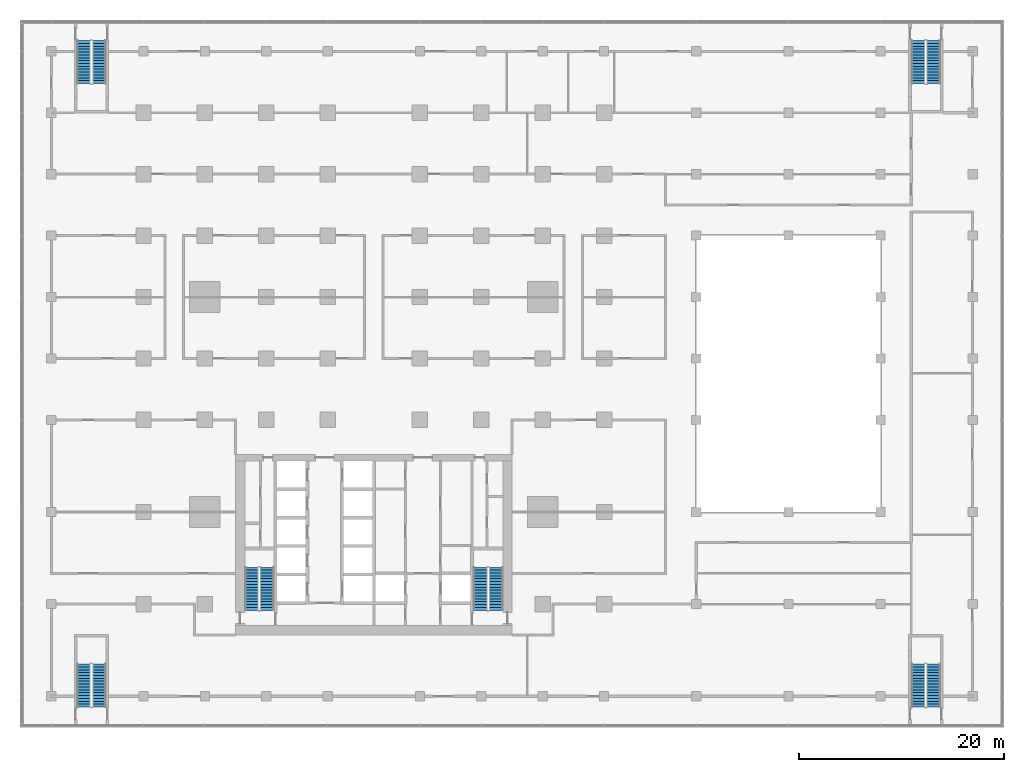
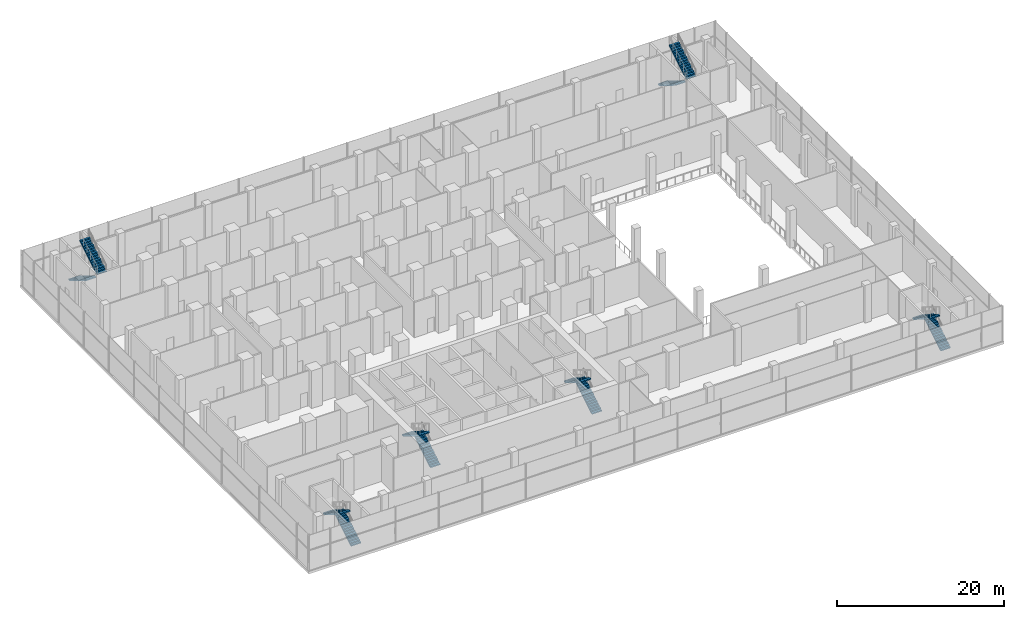
# One storey, part 20 of 22: 12 stair flights, 6 elements without a shape of their own.
"""IFC4 building model written with IfcOpenShell, lengths in metres."""

from ifc_helpers import new_model, si_unit, direction, frame, origin, place, context, subcontext, project, spatial, polyline, outline, extrude, material, type_object, element, aggregate, save


model = new_model("IFC4")

# Units and contexts
model_context = context("Model", 3, precision=1e-05, world=origin(), true_north=direction((0.0, 1.0)))
body_context = subcontext(model_context, "Body", "Model", "MODEL_VIEW")
ifc_project = project(units=[si_unit("LENGTHUNIT", "METRE"), si_unit("AREAUNIT", "SQUARE_METRE"), si_unit("VOLUMEUNIT", "CUBIC_METRE"), si_unit("PLANEANGLEUNIT", "RADIAN"), si_unit("MASSUNIT", "GRAM", prefix="KILO")], contexts=[model_context])

# Site, building, storey
site_placement = place(None, origin())
site = spatial("IfcSite", under=ifc_project, at=site_placement, CompositionType="ELEMENT")
building_placement = place(site_placement, origin())
building = spatial("IfcBuilding", under=site, at=building_placement, Name="Finial Court Residences", CompositionType="ELEMENT")
storey_placement = place(building_placement, frame((0.0, 0.0, 8.0)))
storey = spatial("IfcBuildingStorey", under=building, at=storey_placement, Name="L01", CompositionType="ELEMENT", Elevation=8.0)

# Stair, stair flights
ifc_material = material(Name="Concrete C50/60", Category="concrete")
stair_type = type_object("IfcStairType", Name="Exit stair 32 risers of 171.9 mm", PredefinedType="HALF_TURN_STAIR", material=ifc_material)
stair_1_placement = place(storey_placement, origin())
stair_1 = element("IfcStair", 1, at=stair_1_placement, inside=storey, type_object=stair_type, Name="L01 Exit stair ST-1", PredefinedType="HALF_TURN_STAIR")
stair_flight_type = type_object("IfcStairFlightType", Name="Exit stair flight", PredefinedType="STRAIGHT", material=ifc_material)
stair_flight_1_placement = place(storey_placement, frame((-10.425048828125, -23.10009765625, 0.0), z_axis=(0.0, 0.0, 1.0), x_axis=(0.0, 1.0, 0.0)))
stair_flight_1 = element("IfcStairFlight", 2, at=stair_flight_1_placement, type_object=stair_flight_type, Name="ST-1 flight 1", NumberOfRisers=16, NumberOfTreads=15, PredefinedType="STRAIGHT", RiserHeight=0.171875, TreadLength=0.28, context=body_context, shape_type="SweptSolid", body=[
    extrude(outline(polyline([(0.0, 0.0), (0.0, 0.171875), (0.280029296875, 0.171875), (0.280029296875, 0.34375), (0.56005859375, 0.34375), (0.56005859375, 0.515625), (0.840087890625, 0.515625), (0.840087890625, 0.6875), (1.1201171875, 0.6875), (1.1201171875, 0.859375), (1.39990234375, 0.859375), (1.39990234375, 1.03125), (1.679931640625, 1.03125), (1.679931640625, 1.203125), (1.9599609375, 1.203125), (1.9599609375, 1.375), (2.239990234375, 1.375), (2.239990234375, 1.546875), (2.52001953125, 1.546875), (2.52001953125, 1.71875), (2.800048828125, 1.71875), (2.800048828125, 1.890625), (3.080078125, 1.890625), (3.080078125, 2.0625), (3.360107421875, 2.0625), (3.360107421875, 2.234375), (3.639892578125, 2.234375), (3.639892578125, 2.40625), (3.919921875, 2.40625), (3.919921875, 2.578125), (4.199951171875, 2.578125), (4.199951171875, 2.75), (4.199951171875, 2.40234375), (0.28662109375, 0.0), (0.0, 0.0)])), frame((0.0, 0.675048828125, 0.0), z_axis=(0.0, -1.0, 0.0), x_axis=(1.0, 0.0, 0.0)), (0.0, 0.0, 1.0), 1.35009765625),
])
stair_flight_2_placement = place(storey_placement, frame((-11.925048828125, -18.89990234375, 2.75), z_axis=(0.0, 0.0, 1.0), x_axis=(0.0, -1.0, 0.0)))
stair_flight_2 = element("IfcStairFlight", 3, at=stair_flight_2_placement, type_object=stair_flight_type, Name="ST-1 flight 2", NumberOfRisers=16, NumberOfTreads=15, PredefinedType="STRAIGHT", RiserHeight=0.171875, TreadLength=0.28, context=body_context, shape_type="SweptSolid", body=[
    extrude(outline(polyline([(0.0, 0.0), (0.0, 0.171875), (0.280029296875, 0.171875), (0.280029296875, 0.34375), (0.56005859375, 0.34375), (0.56005859375, 0.515625), (0.840087890625, 0.515625), (0.840087890625, 0.6875), (1.1201171875, 0.6875), (1.1201171875, 0.859375), (1.39990234375, 0.859375), (1.39990234375, 1.03125), (1.679931640625, 1.03125), (1.679931640625, 1.203125), (1.9599609375, 1.203125), (1.9599609375, 1.375), (2.239990234375, 1.375), (2.239990234375, 1.546875), (2.52001953125, 1.546875), (2.52001953125, 1.71875), (2.800048828125, 1.71875), (2.800048828125, 1.890625), (3.080078125, 1.890625), (3.080078125, 2.0625), (3.360107421875, 2.0625), (3.360107421875, 2.234375), (3.639892578125, 2.234375), (3.639892578125, 2.40625), (3.919921875, 2.40625), (3.919921875, 2.578125), (4.199951171875, 2.578125), (4.199951171875, 2.75), (4.199951171875, 2.40234375), (0.28662109375, 0.0), (0.0, 0.0)])), frame((0.0, 0.675048828125, 0.0), z_axis=(0.0, -1.0, 0.0), x_axis=(1.0, 0.0, 0.0)), (0.0, 0.0, 1.0), 1.35009765625),
])
aggregate(stair_1, [stair_flight_1, stair_flight_2])

stair_2_placement = place(storey_placement, origin())
stair_2 = element("IfcStair", 4, at=stair_2_placement, inside=storey, type_object=stair_type, Name="L01 Exit stair ST-2", PredefinedType="HALF_TURN_STAIR")
stair_flight_3_placement = place(storey_placement, frame((11.925048828125, -23.10009765625, 0.0), z_axis=(0.0, 0.0, 1.0), x_axis=(0.0, 1.0, 0.0)))
stair_flight_3 = element("IfcStairFlight", 5, at=stair_flight_3_placement, type_object=stair_flight_type, Name="ST-2 flight 1", NumberOfRisers=16, NumberOfTreads=15, PredefinedType="STRAIGHT", RiserHeight=0.171875, TreadLength=0.28, context=body_context, shape_type="SweptSolid", body=[
    extrude(outline(polyline([(0.0, 0.0), (0.0, 0.171875), (0.280029296875, 0.171875), (0.280029296875, 0.34375), (0.56005859375, 0.34375), (0.56005859375, 0.515625), (0.840087890625, 0.515625), (0.840087890625, 0.6875), (1.1201171875, 0.6875), (1.1201171875, 0.859375), (1.39990234375, 0.859375), (1.39990234375, 1.03125), (1.679931640625, 1.03125), (1.679931640625, 1.203125), (1.9599609375, 1.203125), (1.9599609375, 1.375), (2.239990234375, 1.375), (2.239990234375, 1.546875), (2.52001953125, 1.546875), (2.52001953125, 1.71875), (2.800048828125, 1.71875), (2.800048828125, 1.890625), (3.080078125, 1.890625), (3.080078125, 2.0625), (3.360107421875, 2.0625), (3.360107421875, 2.234375), (3.639892578125, 2.234375), (3.639892578125, 2.40625), (3.919921875, 2.40625), (3.919921875, 2.578125), (4.199951171875, 2.578125), (4.199951171875, 2.75), (4.199951171875, 2.40234375), (0.28662109375, 0.0), (0.0, 0.0)])), frame((0.0, 0.675048828125, 0.0), z_axis=(0.0, -1.0, 0.0), x_axis=(1.0, 0.0, 0.0)), (0.0, 0.0, 1.0), 1.35009765625),
])
stair_flight_4_placement = place(storey_placement, frame((10.425048828125, -18.89990234375, 2.75), z_axis=(0.0, 0.0, 1.0), x_axis=(0.0, -1.0, 0.0)))
stair_flight_4 = element("IfcStairFlight", 6, at=stair_flight_4_placement, type_object=stair_flight_type, Name="ST-2 flight 2", NumberOfRisers=16, NumberOfTreads=15, PredefinedType="STRAIGHT", RiserHeight=0.171875, TreadLength=0.28, context=body_context, shape_type="SweptSolid", body=[
    extrude(outline(polyline([(0.0, 0.0), (0.0, 0.171875), (0.280029296875, 0.171875), (0.280029296875, 0.34375), (0.56005859375, 0.34375), (0.56005859375, 0.515625), (0.840087890625, 0.515625), (0.840087890625, 0.6875), (1.1201171875, 0.6875), (1.1201171875, 0.859375), (1.39990234375, 0.859375), (1.39990234375, 1.03125), (1.679931640625, 1.03125), (1.679931640625, 1.203125), (1.9599609375, 1.203125), (1.9599609375, 1.375), (2.239990234375, 1.375), (2.239990234375, 1.546875), (2.52001953125, 1.546875), (2.52001953125, 1.71875), (2.800048828125, 1.71875), (2.800048828125, 1.890625), (3.080078125, 1.890625), (3.080078125, 2.0625), (3.360107421875, 2.0625), (3.360107421875, 2.234375), (3.639892578125, 2.234375), (3.639892578125, 2.40625), (3.919921875, 2.40625), (3.919921875, 2.578125), (4.199951171875, 2.578125), (4.199951171875, 2.75), (4.199951171875, 2.40234375), (0.28662109375, 0.0), (0.0, 0.0)])), frame((0.0, 0.675048828125, 0.0), z_axis=(0.0, -1.0, 0.0), x_axis=(1.0, 0.0, 0.0)), (0.0, 0.0, 1.0), 1.35009765625),
])
aggregate(stair_2, [stair_flight_3, stair_flight_4])

stair_3_placement = place(storey_placement, origin())
stair_3 = element("IfcStair", 7, at=stair_3_placement, inside=storey, type_object=stair_type, Name="L01 Exit Stair 3", PredefinedType="HALF_TURN_STAIR")
stair_flight_5_placement = place(storey_placement, frame((54.675048828125, -32.550048828125, 0.0), z_axis=(0.0, 0.0, 1.0), x_axis=(0.0, 1.0, 0.0)))
stair_flight_5 = element("IfcStairFlight", 8, at=stair_flight_5_placement, type_object=stair_flight_type, Name="ST-3 flight 1", NumberOfRisers=16, NumberOfTreads=15, PredefinedType="STRAIGHT", RiserHeight=0.171875, TreadLength=0.28, context=body_context, shape_type="SweptSolid", body=[
    extrude(outline(polyline([(0.0, 0.0), (0.0, 0.171875), (0.280029296875, 0.171875), (0.280029296875, 0.34375), (0.56005859375, 0.34375), (0.56005859375, 0.515625), (0.840087890625, 0.515625), (0.840087890625, 0.6875), (1.1201171875, 0.6875), (1.1201171875, 0.859375), (1.39990234375, 0.859375), (1.39990234375, 1.03125), (1.679931640625, 1.03125), (1.679931640625, 1.203125), (1.9599609375, 1.203125), (1.9599609375, 1.375), (2.239990234375, 1.375), (2.239990234375, 1.546875), (2.52001953125, 1.546875), (2.52001953125, 1.71875), (2.800048828125, 1.71875), (2.800048828125, 1.890625), (3.080078125, 1.890625), (3.080078125, 2.0625), (3.360107421875, 2.0625), (3.360107421875, 2.234375), (3.639892578125, 2.234375), (3.639892578125, 2.40625), (3.919921875, 2.40625), (3.919921875, 2.578125), (4.199951171875, 2.578125), (4.199951171875, 2.75), (4.199951171875, 2.40234375), (0.28662109375, 0.0), (0.0, 0.0)])), frame((0.0, 0.675048828125, 0.0), z_axis=(0.0, -1.0, 0.0), x_axis=(1.0, 0.0, 0.0)), (0.0, 0.0, 1.0), 1.35009765625),
])
stair_flight_6_placement = place(storey_placement, frame((53.175048828125, -28.35009765625, 2.75), z_axis=(0.0, 0.0, 1.0), x_axis=(0.0, -1.0, 0.0)))
stair_flight_6 = element("IfcStairFlight", 9, at=stair_flight_6_placement, type_object=stair_flight_type, Name="ST-3 flight 2", NumberOfRisers=16, NumberOfTreads=15, PredefinedType="STRAIGHT", RiserHeight=0.171875, TreadLength=0.28, context=body_context, shape_type="SweptSolid", body=[
    extrude(outline(polyline([(0.0, 0.0), (0.0, 0.171875), (0.280029296875, 0.171875), (0.280029296875, 0.34375), (0.56005859375, 0.34375), (0.56005859375, 0.515625), (0.840087890625, 0.515625), (0.840087890625, 0.6875), (1.1201171875, 0.6875), (1.1201171875, 0.859375), (1.39990234375, 0.859375), (1.39990234375, 1.03125), (1.679931640625, 1.03125), (1.679931640625, 1.203125), (1.9599609375, 1.203125), (1.9599609375, 1.375), (2.239990234375, 1.375), (2.239990234375, 1.546875), (2.52001953125, 1.546875), (2.52001953125, 1.71875), (2.800048828125, 1.71875), (2.800048828125, 1.890625), (3.080078125, 1.890625), (3.080078125, 2.0625), (3.360107421875, 2.0625), (3.360107421875, 2.234375), (3.639892578125, 2.234375), (3.639892578125, 2.40625), (3.919921875, 2.40625), (3.919921875, 2.578125), (4.199951171875, 2.578125), (4.199951171875, 2.75), (4.199951171875, 2.40234375), (0.28662109375, 0.0), (0.0, 0.0)])), frame((0.0, 0.675048828125, 0.0), z_axis=(0.0, -1.0, 0.0), x_axis=(1.0, 0.0, 0.0)), (0.0, 0.0, 1.0), 1.35009765625),
])
aggregate(stair_3, [stair_flight_5, stair_flight_6])

stair_4_placement = place(storey_placement, origin())
stair_4 = element("IfcStair", 10, at=stair_4_placement, inside=storey, type_object=stair_type, Name="L01 Exit Stair 4", PredefinedType="HALF_TURN_STAIR")
stair_flight_7_placement = place(storey_placement, frame((-26.824951171875, -32.550048828125, 0.0), z_axis=(0.0, 0.0, 1.0), x_axis=(0.0, 1.0, 0.0)))
stair_flight_7 = element("IfcStairFlight", 11, at=stair_flight_7_placement, type_object=stair_flight_type, Name="ST-4 flight 1", NumberOfRisers=16, NumberOfTreads=15, PredefinedType="STRAIGHT", RiserHeight=0.171875, TreadLength=0.28, context=body_context, shape_type="SweptSolid", body=[
    extrude(outline(polyline([(0.0, 0.0), (0.0, 0.171875), (0.280029296875, 0.171875), (0.280029296875, 0.34375), (0.56005859375, 0.34375), (0.56005859375, 0.515625), (0.840087890625, 0.515625), (0.840087890625, 0.6875), (1.1201171875, 0.6875), (1.1201171875, 0.859375), (1.39990234375, 0.859375), (1.39990234375, 1.03125), (1.679931640625, 1.03125), (1.679931640625, 1.203125), (1.9599609375, 1.203125), (1.9599609375, 1.375), (2.239990234375, 1.375), (2.239990234375, 1.546875), (2.52001953125, 1.546875), (2.52001953125, 1.71875), (2.800048828125, 1.71875), (2.800048828125, 1.890625), (3.080078125, 1.890625), (3.080078125, 2.0625), (3.360107421875, 2.0625), (3.360107421875, 2.234375), (3.639892578125, 2.234375), (3.639892578125, 2.40625), (3.919921875, 2.40625), (3.919921875, 2.578125), (4.199951171875, 2.578125), (4.199951171875, 2.75), (4.199951171875, 2.40234375), (0.28662109375, 0.0), (0.0, 0.0)])), frame((0.0, 0.675048828125, 0.0), z_axis=(0.0, -1.0, 0.0), x_axis=(1.0, 0.0, 0.0)), (0.0, 0.0, 1.0), 1.35009765625),
])
stair_flight_8_placement = place(storey_placement, frame((-28.324951171875, -28.35009765625, 2.75), z_axis=(0.0, 0.0, 1.0), x_axis=(0.0, -1.0, 0.0)))
stair_flight_8 = element("IfcStairFlight", 12, at=stair_flight_8_placement, type_object=stair_flight_type, Name="ST-4 flight 2", NumberOfRisers=16, NumberOfTreads=15, PredefinedType="STRAIGHT", RiserHeight=0.171875, TreadLength=0.28, context=body_context, shape_type="SweptSolid", body=[
    extrude(outline(polyline([(0.0, 0.0), (0.0, 0.171875), (0.280029296875, 0.171875), (0.280029296875, 0.34375), (0.56005859375, 0.34375), (0.56005859375, 0.515625), (0.840087890625, 0.515625), (0.840087890625, 0.6875), (1.1201171875, 0.6875), (1.1201171875, 0.859375), (1.39990234375, 0.859375), (1.39990234375, 1.03125), (1.679931640625, 1.03125), (1.679931640625, 1.203125), (1.9599609375, 1.203125), (1.9599609375, 1.375), (2.239990234375, 1.375), (2.239990234375, 1.546875), (2.52001953125, 1.546875), (2.52001953125, 1.71875), (2.800048828125, 1.71875), (2.800048828125, 1.890625), (3.080078125, 1.890625), (3.080078125, 2.0625), (3.360107421875, 2.0625), (3.360107421875, 2.234375), (3.639892578125, 2.234375), (3.639892578125, 2.40625), (3.919921875, 2.40625), (3.919921875, 2.578125), (4.199951171875, 2.578125), (4.199951171875, 2.75), (4.199951171875, 2.40234375), (0.28662109375, 0.0), (0.0, 0.0)])), frame((0.0, 0.675048828125, 0.0), z_axis=(0.0, -1.0, 0.0), x_axis=(1.0, 0.0, 0.0)), (0.0, 0.0, 1.0), 1.35009765625),
])
aggregate(stair_4, [stair_flight_7, stair_flight_8])

stair_5_placement = place(storey_placement, origin())
stair_5 = element("IfcStair", 13, at=stair_5_placement, inside=storey, type_object=stair_type, Name="L01 Exit Stair 5", PredefinedType="HALF_TURN_STAIR")
stair_flight_9_placement = place(storey_placement, frame((53.175048828125, 32.550048828125, 0.0), z_axis=(0.0, 0.0, 1.0), x_axis=(0.0, -1.0, 0.0)))
stair_flight_9 = element("IfcStairFlight", 14, at=stair_flight_9_placement, type_object=stair_flight_type, Name="ST-5 flight 1", NumberOfRisers=16, NumberOfTreads=15, PredefinedType="STRAIGHT", RiserHeight=0.171875, TreadLength=0.28, context=body_context, shape_type="SweptSolid", body=[
    extrude(outline(polyline([(0.0, 0.0), (0.0, 0.171875), (0.280029296875, 0.171875), (0.280029296875, 0.34375), (0.56005859375, 0.34375), (0.56005859375, 0.515625), (0.840087890625, 0.515625), (0.840087890625, 0.6875), (1.1201171875, 0.6875), (1.1201171875, 0.859375), (1.39990234375, 0.859375), (1.39990234375, 1.03125), (1.679931640625, 1.03125), (1.679931640625, 1.203125), (1.9599609375, 1.203125), (1.9599609375, 1.375), (2.239990234375, 1.375), (2.239990234375, 1.546875), (2.52001953125, 1.546875), (2.52001953125, 1.71875), (2.800048828125, 1.71875), (2.800048828125, 1.890625), (3.080078125, 1.890625), (3.080078125, 2.0625), (3.360107421875, 2.0625), (3.360107421875, 2.234375), (3.639892578125, 2.234375), (3.639892578125, 2.40625), (3.919921875, 2.40625), (3.919921875, 2.578125), (4.199951171875, 2.578125), (4.199951171875, 2.75), (4.199951171875, 2.40234375), (0.28662109375, 0.0), (0.0, 0.0)])), frame((0.0, 0.675048828125, 0.0), z_axis=(0.0, -1.0, 0.0), x_axis=(1.0, 0.0, 0.0)), (0.0, 0.0, 1.0), 1.35009765625),
])
stair_flight_10_placement = place(storey_placement, frame((54.675048828125, 28.35009765625, 2.75), z_axis=(0.0, 0.0, 1.0), x_axis=(0.0, 1.0, 0.0)))
stair_flight_10 = element("IfcStairFlight", 15, at=stair_flight_10_placement, type_object=stair_flight_type, Name="ST-5 flight 2", NumberOfRisers=16, NumberOfTreads=15, PredefinedType="STRAIGHT", RiserHeight=0.171875, TreadLength=0.28, context=body_context, shape_type="SweptSolid", body=[
    extrude(outline(polyline([(0.0, 0.0), (0.0, 0.171875), (0.280029296875, 0.171875), (0.280029296875, 0.34375), (0.56005859375, 0.34375), (0.56005859375, 0.515625), (0.840087890625, 0.515625), (0.840087890625, 0.6875), (1.1201171875, 0.6875), (1.1201171875, 0.859375), (1.39990234375, 0.859375), (1.39990234375, 1.03125), (1.679931640625, 1.03125), (1.679931640625, 1.203125), (1.9599609375, 1.203125), (1.9599609375, 1.375), (2.239990234375, 1.375), (2.239990234375, 1.546875), (2.52001953125, 1.546875), (2.52001953125, 1.71875), (2.800048828125, 1.71875), (2.800048828125, 1.890625), (3.080078125, 1.890625), (3.080078125, 2.0625), (3.360107421875, 2.0625), (3.360107421875, 2.234375), (3.639892578125, 2.234375), (3.639892578125, 2.40625), (3.919921875, 2.40625), (3.919921875, 2.578125), (4.199951171875, 2.578125), (4.199951171875, 2.75), (4.199951171875, 2.40234375), (0.28662109375, 0.0), (0.0, 0.0)])), frame((0.0, 0.675048828125, 0.0), z_axis=(0.0, -1.0, 0.0), x_axis=(1.0, 0.0, 0.0)), (0.0, 0.0, 1.0), 1.35009765625),
])
aggregate(stair_5, [stair_flight_9, stair_flight_10])

stair_6_placement = place(storey_placement, origin())
stair_6 = element("IfcStair", 16, at=stair_6_placement, inside=storey, type_object=stair_type, Name="L01 Exit Stair 6", PredefinedType="HALF_TURN_STAIR")
stair_flight_11_placement = place(storey_placement, frame((-28.324951171875, 32.550048828125, 0.0), z_axis=(0.0, 0.0, 1.0), x_axis=(0.0, -1.0, 0.0)))
stair_flight_11 = element("IfcStairFlight", 17, at=stair_flight_11_placement, type_object=stair_flight_type, Name="ST-6 flight 1", NumberOfRisers=16, NumberOfTreads=15, PredefinedType="STRAIGHT", RiserHeight=0.171875, TreadLength=0.28, context=body_context, shape_type="SweptSolid", body=[
    extrude(outline(polyline([(0.0, 0.0), (0.0, 0.171875), (0.280029296875, 0.171875), (0.280029296875, 0.34375), (0.56005859375, 0.34375), (0.56005859375, 0.515625), (0.840087890625, 0.515625), (0.840087890625, 0.6875), (1.1201171875, 0.6875), (1.1201171875, 0.859375), (1.39990234375, 0.859375), (1.39990234375, 1.03125), (1.679931640625, 1.03125), (1.679931640625, 1.203125), (1.9599609375, 1.203125), (1.9599609375, 1.375), (2.239990234375, 1.375), (2.239990234375, 1.546875), (2.52001953125, 1.546875), (2.52001953125, 1.71875), (2.800048828125, 1.71875), (2.800048828125, 1.890625), (3.080078125, 1.890625), (3.080078125, 2.0625), (3.360107421875, 2.0625), (3.360107421875, 2.234375), (3.639892578125, 2.234375), (3.639892578125, 2.40625), (3.919921875, 2.40625), (3.919921875, 2.578125), (4.199951171875, 2.578125), (4.199951171875, 2.75), (4.199951171875, 2.40234375), (0.28662109375, 0.0), (0.0, 0.0)])), frame((0.0, 0.675048828125, 0.0), z_axis=(0.0, -1.0, 0.0), x_axis=(1.0, 0.0, 0.0)), (0.0, 0.0, 1.0), 1.35009765625),
])
stair_flight_12_placement = place(storey_placement, frame((-26.824951171875, 28.35009765625, 2.75), z_axis=(0.0, 0.0, 1.0), x_axis=(0.0, 1.0, 0.0)))
stair_flight_12 = element("IfcStairFlight", 18, at=stair_flight_12_placement, type_object=stair_flight_type, Name="ST-6 flight 2", NumberOfRisers=16, NumberOfTreads=15, PredefinedType="STRAIGHT", RiserHeight=0.171875, TreadLength=0.28, context=body_context, shape_type="SweptSolid", body=[
    extrude(outline(polyline([(0.0, 0.0), (0.0, 0.171875), (0.280029296875, 0.171875), (0.280029296875, 0.34375), (0.56005859375, 0.34375), (0.56005859375, 0.515625), (0.840087890625, 0.515625), (0.840087890625, 0.6875), (1.1201171875, 0.6875), (1.1201171875, 0.859375), (1.39990234375, 0.859375), (1.39990234375, 1.03125), (1.679931640625, 1.03125), (1.679931640625, 1.203125), (1.9599609375, 1.203125), (1.9599609375, 1.375), (2.239990234375, 1.375), (2.239990234375, 1.546875), (2.52001953125, 1.546875), (2.52001953125, 1.71875), (2.800048828125, 1.71875), (2.800048828125, 1.890625), (3.080078125, 1.890625), (3.080078125, 2.0625), (3.360107421875, 2.0625), (3.360107421875, 2.234375), (3.639892578125, 2.234375), (3.639892578125, 2.40625), (3.919921875, 2.40625), (3.919921875, 2.578125), (4.199951171875, 2.578125), (4.199951171875, 2.75), (4.199951171875, 2.40234375), (0.28662109375, 0.0), (0.0, 0.0)])), frame((0.0, 0.675048828125, 0.0), z_axis=(0.0, -1.0, 0.0), x_axis=(1.0, 0.0, 0.0)), (0.0, 0.0, 1.0), 1.35009765625),
])
aggregate(stair_6, [stair_flight_11, stair_flight_12])

save(model, "model.ifc")
